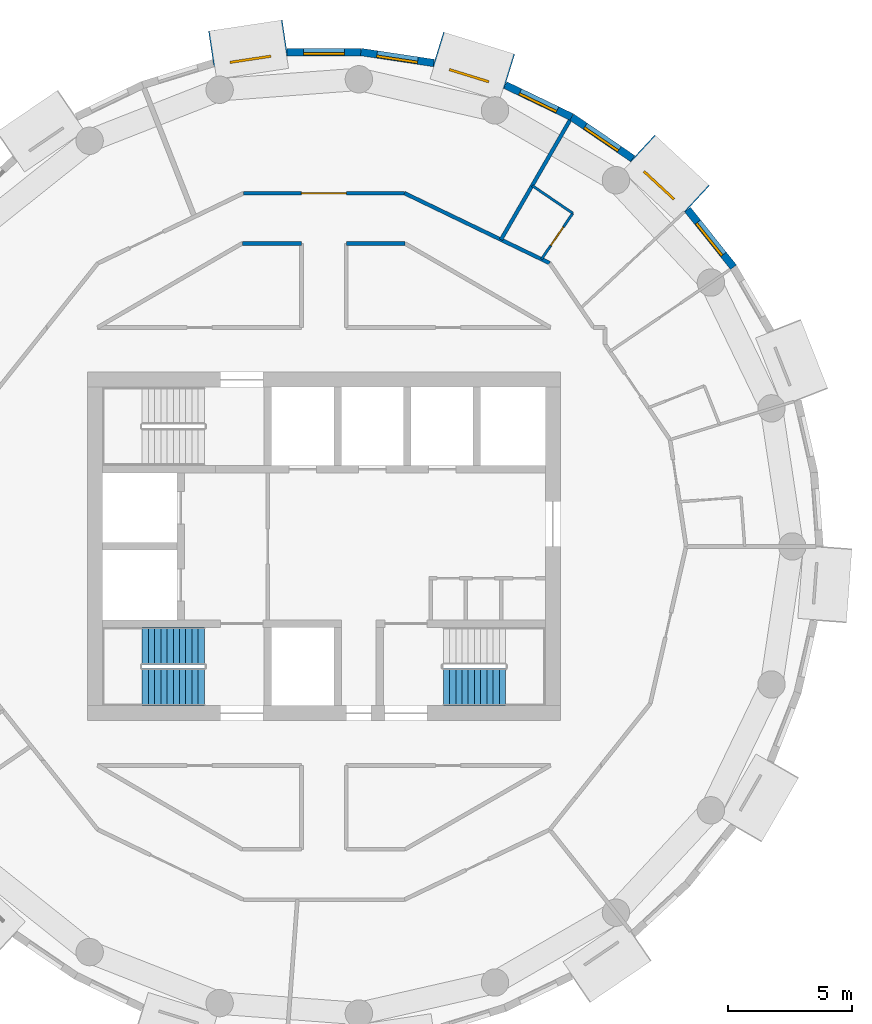
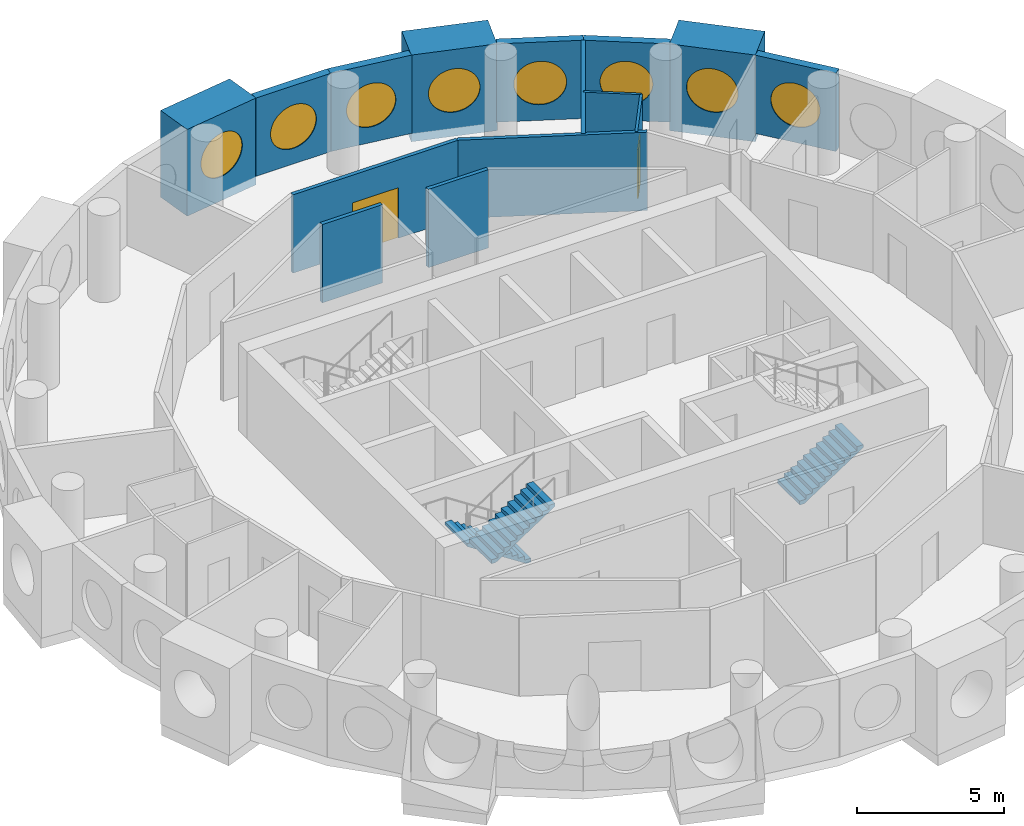
# One storey, part 10 of 12: 15 walls, 8 windows, 3 stair flights, 2 doors, 10 openings, 2 elements without a shape of their own.
"""IFC4 building model written with IfcOpenShell, lengths in metres."""

from ifc_helpers import new_model, si_unit, direction, frame, frame_2d, origin, origin_2d, place, context, subcontext, project, spatial, polyline, rectangle, circle, outline, extrude, material, layer, layer_set, type_object, element, fill, aggregate, save


model = new_model("IFC4")

# Units and contexts
model_context = context("Model", 3, precision=1e-05, world=origin(), true_north=direction((0.0, 1.0)))
body_context = subcontext(model_context, "Body", "Model", "MODEL_VIEW")
ifc_project = project(units=[si_unit("LENGTHUNIT", "METRE"), si_unit("AREAUNIT", "SQUARE_METRE"), si_unit("VOLUMEUNIT", "CUBIC_METRE"), si_unit("PLANEANGLEUNIT", "RADIAN"), si_unit("MASSUNIT", "GRAM", prefix="KILO")], contexts=[model_context])

# Site, building, storey
site_placement = place(None, origin())
site = spatial("IfcSite", under=ifc_project, at=site_placement, CompositionType="ELEMENT")
building_placement = place(site_placement, origin())
building = spatial("IfcBuilding", under=site, at=building_placement, Name="Tracery Tower", CompositionType="ELEMENT")
storey_placement = place(building_placement, frame((0.0, 0.0, 234.60009765625)))
storey = spatial("IfcBuildingStorey", under=building, at=storey_placement, Name="L60", CompositionType="ELEMENT", Elevation=234.60009765625)

# Wall, opening, window
ifc_material_1 = material(Name="Precast concrete C50/60", Category="concrete")
ifc_layer_1 = layer(ifc_material_1, 1.449951171875)
ifc_layer_set_1 = layer_set([ifc_layer_1], Name="Deep-set bay unit 3000 x 3600, slab edge 350")
wall_type_1 = type_object("IfcWallType", Name="Deep-set bay unit 3000 x 3600, slab edge 350", PredefinedType="ELEMENTEDWALL", material=ifc_layer_set_1)
wall_1_placement = place(storey_placement, frame((15.0029296875, 13.964111328125, -0.35009765625), z_axis=(0.0, 0.0, 1.0), x_axis=(-0.733022439167, 0.680204457261, 0.0)))
wall_1 = element("IfcWall", 1, at=wall_1_placement, inside=storey, type_object=wall_type_1, Name="Deep-set bay unit 6 at L60", PredefinedType="ELEMENTEDWALL", context=body_context, shape_type="SweptSolid", body=[
    extrude(rectangle(XDim=2.999755859375, YDim=1.449951171875, at=frame_2d((1.5, 0.0))), origin(), (0.0, 0.0, 1.0), 3.60009765625),
])
opening_1_placement = place(wall_1_placement, frame((1.5, 0.0, 1.89990234375)))
opening_1 = element("IfcOpeningElement", 2, at=opening_1_placement, cuts=wall_1, Name="Opening WN1", PredefinedType="OPENING", context=body_context, shape_type="SweptSolid", body=[
    extrude(circle(Radius=0.9000244140625, at=origin_2d()), frame((0.0, 0.73486328125, 0.0), z_axis=(0.0, -1.0, 0.0), x_axis=(1.0, 0.0, 0.0)), (0.0, 0.0, 1.0), 1.469970703125),
])
ifc_material_2 = material(Name="Aluminium frame with tinted double glazing", Category="aluminium")
window_type = type_object("IfcWindowType", Name="Round window 1800", PartitioningType="SINGLE_PANEL", PredefinedType="WINDOW", material=ifc_material_2)
window_1_placement = place(opening_1_placement, origin())
window_1 = element("IfcWindow", 3, at=window_1_placement, inside=storey, type_object=window_type, Name="Round window 6 at L60", OverallHeight=1.800048828125, OverallWidth=1.800048828125, PartitioningType="SINGLE_PANEL", PredefinedType="WINDOW", context=body_context, shape_type="SweptSolid", body=[
    extrude(circle(Radius=0.9000244140625, at=origin_2d()), frame((0.0, 0.69482421875, 0.0), z_axis=(0.0, -1.0, 0.0), x_axis=(1.0, 0.0, 0.0)), (0.0, 0.0, 1.0), 0.10009765625),
])
fill(opening_1, window_1)

wall_2_placement = place(storey_placement, frame((7.45849609375, 19.0908203125, -0.35009765625), z_axis=(0.0, 0.0, 1.0), x_axis=(-0.955571139978, 0.294760574774, 0.0)))
wall_2 = element("IfcWall", 4, at=wall_2_placement, inside=storey, type_object=wall_type_1, Name="Deep-set bay unit 9 at L60", PredefinedType="ELEMENTEDWALL", context=body_context, shape_type="SweptSolid", body=[
    extrude(rectangle(XDim=3.0, YDim=1.449951171875, at=frame_2d((1.5, 0.0))), origin(), (0.0, 0.0, 1.0), 3.60009765625),
])
opening_2_placement = place(wall_2_placement, frame((1.5, 0.0, 1.89990234375)))
opening_2 = element("IfcOpeningElement", 5, at=opening_2_placement, cuts=wall_2, Name="Opening WN1", PredefinedType="OPENING", context=body_context, shape_type="SweptSolid", body=[
    extrude(circle(Radius=0.9000244140625, at=origin_2d()), frame((0.0, 0.73486328125, 0.0), z_axis=(0.0, -1.0, 0.0), x_axis=(1.0, 0.0, 0.0)), (0.0, 0.0, 1.0), 1.469970703125),
])
window_2_placement = place(opening_2_placement, origin())
window_2 = element("IfcWindow", 6, at=window_2_placement, inside=storey, type_object=window_type, Name="Round window 9 at L60", OverallHeight=1.800048828125, OverallWidth=1.800048828125, PartitioningType="SINGLE_PANEL", PredefinedType="WINDOW", context=body_context, shape_type="SweptSolid", body=[
    extrude(circle(Radius=0.9000244140625, at=origin_2d()), frame((0.0, 0.69482421875, 0.0), z_axis=(0.0, -1.0, 0.0), x_axis=(1.0, 0.0, 0.0)), (0.0, 0.0, 1.0), 0.10009765625),
])
fill(opening_2, window_2)

wall_3_placement = place(storey_placement, frame((-1.563232421875, 20.436279296875, -0.35009765625), z_axis=(0.0, 0.0, 1.0), x_axis=(-0.988836445254, -0.149004981587, 0.0)))
wall_3 = element("IfcWall", 7, at=wall_3_placement, inside=storey, type_object=wall_type_1, Name="Deep-set bay unit 12 at L60", PredefinedType="ELEMENTEDWALL", context=body_context, shape_type="SweptSolid", body=[
    extrude(rectangle(XDim=3.0, YDim=1.449951171875, at=frame_2d((1.5, 0.0))), origin(), (0.0, 0.0, 1.0), 3.60009765625),
])
opening_3_placement = place(wall_3_placement, frame((1.5, 0.0, 1.89990234375)))
opening_3 = element("IfcOpeningElement", 8, at=opening_3_placement, cuts=wall_3, Name="Opening WN1", PredefinedType="OPENING", context=body_context, shape_type="SweptSolid", body=[
    extrude(circle(Radius=0.9000244140625, at=origin_2d()), frame((0.0, 0.73486328125, 0.0), z_axis=(0.0, -1.0, 0.0), x_axis=(1.0, 0.0, 0.0)), (0.0, 0.0, 1.0), 1.469970703125),
])
window_3_placement = place(opening_3_placement, origin())
window_3 = element("IfcWindow", 9, at=window_3_placement, inside=storey, type_object=window_type, Name="Round window 12 at L60", OverallHeight=1.800048828125, OverallWidth=1.800048828125, PartitioningType="SINGLE_PANEL", PredefinedType="WINDOW", context=body_context, shape_type="SweptSolid", body=[
    extrude(circle(Radius=0.9000244140625, at=origin_2d()), frame((0.0, 0.69482421875, 0.0), z_axis=(0.0, -1.0, 0.0), x_axis=(1.0, 0.0, 0.0)), (0.0, 0.0, 1.0), 0.10009765625),
])
fill(opening_3, window_3)

ifc_material_3 = material(Name="Precast concrete C50/60", Category="concrete")
ifc_layer_2 = layer(ifc_material_3, 0.300048828125)
ifc_layer_set_2 = layer_set([ifc_layer_2], Name="Facade panel 3000 x 3250")
wall_type_2 = type_object("IfcWallType", Name="Facade panel 3000 x 3250", PredefinedType="SOLIDWALL", material=ifc_layer_set_2)
wall_4_placement = place(storey_placement, frame((16.460205078125, 11.222412109375, 0.0), z_axis=(0.0, 0.0, 1.0), x_axis=(-0.623498236992, 0.781824755599, 0.0)))
wall_4 = element("IfcWall", 10, at=wall_4_placement, inside=storey, type_object=wall_type_2, Name="Facade panel 5 at L60", PredefinedType="SOLIDWALL", context=body_context, shape_type="SweptSolid", body=[
    extrude(rectangle(XDim=2.962158203125, YDim=0.300048828125, at=frame_2d((1.48095703125, 0.0))), origin(), (0.0, 0.0, 1.0), 3.25),
])
opening_4_placement = place(wall_4_placement, frame((1.48095703125, 0.0, 1.5498046875)))
opening_4 = element("IfcOpeningElement", 11, at=opening_4_placement, cuts=wall_4, Name="Opening WN1", PredefinedType="OPENING", context=body_context, shape_type="SweptSolid", body=[
    extrude(circle(Radius=0.9000244140625, at=origin_2d()), frame((0.0, 0.159912109375, 0.0), z_axis=(0.0, -1.0, 0.0), x_axis=(1.0, 0.0, 0.0)), (0.0, 0.0, 1.0), 0.320068359375),
])
window_4_placement = place(opening_4_placement, origin())
window_4 = element("IfcWindow", 12, at=window_4_placement, inside=storey, type_object=window_type, Name="Round window 5 at L60", OverallHeight=1.800048828125, OverallWidth=1.800048828125, PartitioningType="SINGLE_PANEL", PredefinedType="WINDOW", context=body_context, shape_type="SweptSolid", body=[
    extrude(circle(Radius=0.9000244140625, at=origin_2d()), frame((0.0, 0.1201171875, 0.0), z_axis=(0.0, -1.0, 0.0), x_axis=(1.0, 0.0, 0.0)), (0.0, 0.0, 1.0), 0.10009765625),
])
fill(opening_4, window_4)

wall_5_placement = place(storey_placement, frame((12.408447265625, 15.583984375, 0.0), z_axis=(0.0, 0.0, 1.0), x_axis=(-0.826236061068, 0.563324037646, 0.0)))
wall_5 = element("IfcWall", 13, at=wall_5_placement, inside=storey, type_object=wall_type_2, Name="Facade panel 7 at L60", PredefinedType="SOLIDWALL", context=body_context, shape_type="SweptSolid", body=[
    extrude(rectangle(XDim=2.962158203125, YDim=0.300048828125, at=frame_2d((1.48095703125, 0.0))), origin(), (0.0, 0.0, 1.0), 3.25),
])
opening_5_placement = place(wall_5_placement, frame((1.48095703125, 0.0, 1.5498046875)))
opening_5 = element("IfcOpeningElement", 14, at=opening_5_placement, cuts=wall_5, Name="Opening WN1", PredefinedType="OPENING", context=body_context, shape_type="SweptSolid", body=[
    extrude(circle(Radius=0.9000244140625, at=origin_2d()), frame((0.0, 0.159912109375, 0.0), z_axis=(0.0, -1.0, 0.0), x_axis=(1.0, 0.0, 0.0)), (0.0, 0.0, 1.0), 0.320068359375),
])
window_5_placement = place(opening_5_placement, origin())
window_5 = element("IfcWindow", 15, at=window_5_placement, inside=storey, type_object=window_type, Name="Round window 7 at L60", OverallHeight=1.800048828125, OverallWidth=1.800048828125, PartitioningType="SINGLE_PANEL", PredefinedType="WINDOW", context=body_context, shape_type="SweptSolid", body=[
    extrude(circle(Radius=0.9000244140625, at=origin_2d()), frame((0.0, 0.1201171875, 0.0), z_axis=(0.0, -1.0, 0.0), x_axis=(1.0, 0.0, 0.0)), (0.0, 0.0, 1.0), 0.10009765625),
])
fill(opening_5, window_5)

wall_6_placement = place(storey_placement, frame((9.9609375, 17.252685546875, 0.0), z_axis=(0.0, 0.0, 1.0), x_axis=(-0.90095513435, 0.433912255978, 0.0)))
wall_6 = element("IfcWall", 16, at=wall_6_placement, inside=storey, type_object=wall_type_2, Name="Facade panel 8 at L60", PredefinedType="SOLIDWALL", context=body_context, shape_type="SweptSolid", body=[
    extrude(rectangle(XDim=2.96240234375, YDim=0.300048828125, at=frame_2d((1.481201171875, 0.0))), origin(), (0.0, 0.0, 1.0), 3.25),
])
opening_6_placement = place(wall_6_placement, frame((1.48095703125, 0.0, 1.5498046875)))
opening_6 = element("IfcOpeningElement", 17, at=opening_6_placement, cuts=wall_6, Name="Opening WN1", PredefinedType="OPENING", context=body_context, shape_type="SweptSolid", body=[
    extrude(circle(Radius=0.9000244140625, at=origin_2d()), frame((0.0, 0.159912109375, 0.0), z_axis=(0.0, -1.0, 0.0), x_axis=(1.0, 0.0, 0.0)), (0.0, 0.0, 1.0), 0.320068359375),
])
window_6_placement = place(opening_6_placement, origin())
window_6 = element("IfcWindow", 18, at=window_6_placement, inside=storey, type_object=window_type, Name="Round window 8 at L60", OverallHeight=1.800048828125, OverallWidth=1.800048828125, PartitioningType="SINGLE_PANEL", PredefinedType="WINDOW", context=body_context, shape_type="SweptSolid", body=[
    extrude(circle(Radius=0.9000244140625, at=origin_2d()), frame((0.0, 0.1201171875, 0.0), z_axis=(0.0, -1.0, 0.0), x_axis=(1.0, 0.0, 0.0)), (0.0, 0.0, 1.0), 0.10009765625),
])
fill(opening_6, window_6)

wall_7_placement = place(storey_placement, frame((4.41796875, 19.424560546875, 0.0), z_axis=(0.0, 0.0, 1.0), x_axis=(-0.988835775663, 0.149009425104, 0.0)))
wall_7 = element("IfcWall", 19, at=wall_7_placement, inside=storey, type_object=wall_type_2, Name="Facade panel 10 at L60", PredefinedType="SOLIDWALL", context=body_context, shape_type="SweptSolid", body=[
    extrude(rectangle(XDim=2.962158203125, YDim=0.300048828125, at=frame_2d((1.48095703125, 0.0))), origin(), (0.0, 0.0, 1.0), 3.25),
])
opening_7_placement = place(wall_7_placement, frame((1.48095703125, 0.0, 1.5498046875)))
opening_7 = element("IfcOpeningElement", 20, at=opening_7_placement, cuts=wall_7, Name="Opening WN1", PredefinedType="OPENING", context=body_context, shape_type="SweptSolid", body=[
    extrude(circle(Radius=0.9000244140625, at=origin_2d()), frame((0.0, 0.159912109375, 0.0), z_axis=(0.0, -1.0, 0.0), x_axis=(1.0, 0.0, 0.0)), (0.0, 0.0, 1.0), 0.320068359375),
])
window_7_placement = place(opening_7_placement, origin())
window_7 = element("IfcWindow", 21, at=window_7_placement, inside=storey, type_object=window_type, Name="Round window 10 at L60", OverallHeight=1.800048828125, OverallWidth=1.800048828125, PartitioningType="SINGLE_PANEL", PredefinedType="WINDOW", context=body_context, shape_type="SweptSolid", body=[
    extrude(circle(Radius=0.9000244140625, at=origin_2d()), frame((0.0, 0.1201171875, 0.0), z_axis=(0.0, -1.0, 0.0), x_axis=(1.0, 0.0, 0.0)), (0.0, 0.0, 1.0), 0.10009765625),
])
fill(opening_7, window_7)

wall_8_placement = place(storey_placement, frame((1.48876953125, 19.865966796875, 0.0), z_axis=(0.0, 0.0, 1.0), x_axis=(-1.0, 0.0, 0.0)))
wall_8 = element("IfcWall", 22, at=wall_8_placement, inside=storey, type_object=wall_type_2, Name="Facade panel 11 at L60", PredefinedType="SOLIDWALL", context=body_context, shape_type="SweptSolid", body=[
    extrude(rectangle(XDim=2.962158203125, YDim=0.300048828125, at=frame_2d((1.48095703125, 0.0))), origin(), (0.0, 0.0, 1.0), 3.25),
])
opening_8_placement = place(wall_8_placement, frame((1.48095703125, 0.0, 1.5498046875)))
opening_8 = element("IfcOpeningElement", 23, at=opening_8_placement, cuts=wall_8, Name="Opening WN1", PredefinedType="OPENING", context=body_context, shape_type="SweptSolid", body=[
    extrude(circle(Radius=0.9000244140625, at=origin_2d()), frame((0.0, 0.159912109375, 0.0), z_axis=(0.0, -1.0, 0.0), x_axis=(1.0, 0.0, 0.0)), (0.0, 0.0, 1.0), 0.320068359375),
])
window_8_placement = place(opening_8_placement, origin())
window_8 = element("IfcWindow", 24, at=window_8_placement, inside=storey, type_object=window_type, Name="Round window 11 at L60", OverallHeight=1.800048828125, OverallWidth=1.800048828125, PartitioningType="SINGLE_PANEL", PredefinedType="WINDOW", context=body_context, shape_type="SweptSolid", body=[
    extrude(circle(Radius=0.9000244140625, at=origin_2d()), frame((0.0, 0.1201171875, 0.0), z_axis=(0.0, -1.0, 0.0), x_axis=(1.0, 0.0, 0.0)), (0.0, 0.0, 1.0), 0.10009765625),
])
fill(opening_8, window_8)

# Wall, opening, door
ifc_material_4 = material(Name="Plasterboard on steel studs", Category="steel")
ifc_layer_3 = layer(ifc_material_4, 0.10009765625)
ifc_layer_set_3 = layer_set([ifc_layer_3], Name="Partition 100 wet wall")
wall_type_3 = type_object("IfcWallType", Name="Partition 100 wet wall", PredefinedType="PARTITIONING", material=ifc_layer_set_3)
wall_9_placement = place(storey_placement, frame((8.742919921875, 11.541015625, 0.0), z_axis=(0.0, 0.0, 1.0), x_axis=(0.563469042551, 0.826137178734, 0.0)))
wall_9 = element("IfcWall", 25, at=wall_9_placement, inside=storey, type_object=wall_type_3, Name="Wet wall RC1-055", PredefinedType="PARTITIONING", context=body_context, shape_type="SweptSolid", body=[
    extrude(rectangle(XDim=2.234375, YDim=0.10009765625, at=frame_2d((1.1171875, 0.0))), origin(), (0.0, 0.0, 1.0), 3.25),
])
opening_9_placement = place(wall_9_placement, frame((0.6669921875, 0.0, 0.0)))
opening_9 = element("IfcOpeningElement", 26, at=opening_9_placement, cuts=wall_9, Name="Opening RC1-11", PredefinedType="OPENING", context=body_context, shape_type="SweptSolid", body=[
    extrude(rectangle(XDim=0.89990234375, YDim=2.0400390625, at=frame_2d((0.449951171875, 1.02001953125))), frame((0.0, 0.050048828125, 0.0), z_axis=(0.0, -1.0, 0.0), x_axis=(1.0, 0.0, 0.0)), (0.0, 0.0, 1.0), 0.10009765625),
])
ifc_material_5 = material(Name="Timber door leaf", Category="wood")
door_type_1 = type_object("IfcDoorType", Name="Door en-suite 900", OperationType="NOTDEFINED", PredefinedType="DOOR", material=ifc_material_5)
door_1_placement = place(opening_9_placement, origin())
door_1 = element("IfcDoor", 27, at=door_1_placement, inside=storey, type_object=door_type_1, Name="En-suite door RC1-11", OperationType="SINGLE_SWING_LEFT", OverallHeight=2.0400390625, OverallWidth=0.89990234375, PredefinedType="DOOR", context=body_context, shape_type="SweptSolid", body=[
    extrude(rectangle(XDim=0.89990234375, YDim=2.0400390625, at=frame_2d((0.449951171875, 1.02001953125))), frame((0.0, 0.02490234375, 0.0), z_axis=(0.0, -1.0, 0.0), x_axis=(1.0, 0.0, 0.0)), (0.0, 0.0, 1.0), 0.050048828125),
])
fill(opening_9, door_1)

# Walls
wall_10_placement = place(storey_placement, frame((8.37109375, 14.4990234375, 0.0), z_axis=(0.0, 0.0, 1.0), x_axis=(0.82620117489, -0.563375202339, 0.0)))
element("IfcWall", 28, at=wall_10_placement, inside=storey, type_object=wall_type_3, Name="Wet wall RC1-056", PredefinedType="PARTITIONING", context=body_context, shape_type="SweptSolid", body=[
    extrude(rectangle(XDim=1.973876953125, YDim=0.10009765625, at=frame_2d((0.98681640625, 0.0))), origin(), (0.0, 0.0, 1.0), 3.25),
])
ifc_material_6 = material(Name="Plasterboard on steel studs", Category="steel")
ifc_layer_4 = layer(ifc_material_6, 0.14990234375)
ifc_layer_set_4 = layer_set([ifc_layer_4], Name="Partition 150 acoustic unit wall")
wall_type_4 = type_object("IfcWallType", Name="Partition 150 acoustic unit wall", PredefinedType="PARTITIONING", material=ifc_layer_set_4)
wall_11_placement = place(storey_placement, frame((7.115478515625, 12.3251953125, 0.0), z_axis=(0.0, 0.0, 1.0), x_axis=(0.500139547481, 0.865944821017, 0.0)))
element("IfcWall", 29, at=wall_11_placement, inside=storey, type_object=wall_type_4, Name="Unit wall RC1-057", PredefinedType="PARTITIONING", context=body_context, shape_type="SweptSolid", body=[
    extrude(rectangle(XDim=5.53955078125, YDim=0.14990234375, at=frame_2d((2.769775390625, 0.0))), origin(), (0.0, 0.0, 1.0), 3.25),
])
ifc_material_7 = material(Name="Plasterboard on steel studs", Category="steel")
ifc_layer_5 = layer(ifc_material_7, 0.14990234375)
ifc_layer_set_5 = layer_set([ifc_layer_5], Name="Partition 150 corridor wall")
wall_type_5 = type_object("IfcWallType", Name="Partition 150 corridor wall", PredefinedType="PARTITIONING", material=ifc_layer_set_5)
for number, where, z_axis, x_axis, name in (
    (30, (-3.260986328125, 12.1708984375, 0.0), (0.0, 0.0, 1.0), (1.0, 0.0, 0.0), "Corridor wall RC1-026"),
    (31, (0.89990234375, 12.1708984375, 0.0), (0.0, 0.0, 1.0), (1.0, 0.0, 0.0), "Corridor wall RC1-028"),
):
    element("IfcWall", number, at=place(storey_placement, frame(where, z_axis=z_axis, x_axis=x_axis)), inside=storey, type_object=wall_type_5, Name=name, PredefinedType="PARTITIONING", context=body_context, shape_type="SweptSolid", body=[
        extrude(rectangle(XDim=2.361083984375, YDim=0.14990234375, at=frame_2d((1.1806640625, 0.0))), origin(), (0.0, 0.0, 1.0), 3.25),
    ])
wall_12_placement = place(storey_placement, frame((3.240234375, 14.194580078125, 0.0), z_axis=(0.0, 0.0, 1.0), x_axis=(0.900778421649, -0.434278983018, 0.0)))
element("IfcWall", 32, at=wall_12_placement, inside=storey, type_object=wall_type_5, Name="Corridor wall RC1-030", PredefinedType="PARTITIONING", context=body_context, shape_type="SweptSolid", body=[
    extrude(rectangle(XDim=6.478515625, YDim=0.14990234375, at=frame_2d((3.2392578125, 0.0))), origin(), (0.0, 0.0, 1.0), 3.25),
])

# Wall, opening, door
wall_13_placement = place(storey_placement, frame((-3.239013671875, 14.19189453125, 0.0), z_axis=(0.0, 0.0, 1.0), x_axis=(1.0, 0.0, 0.0)))
wall_13 = element("IfcWall", 33, at=wall_13_placement, inside=storey, type_object=wall_type_5, Name="Corridor wall RC1-032", PredefinedType="PARTITIONING", context=body_context, shape_type="SweptSolid", body=[
    extrude(rectangle(XDim=6.47802734375, YDim=0.14990234375, at=frame_2d((3.239013671875, 0.0))), origin(), (0.0, 0.0, 1.0), 3.25),
])
opening_10_placement = place(wall_13_placement, frame((2.339111328125, 0.0, 0.0)))
opening_10 = element("IfcOpeningElement", 34, at=opening_10_placement, cuts=wall_13, Name="Opening RC1-12", PredefinedType="OPENING", context=body_context, shape_type="SweptSolid", body=[
    extrude(rectangle(XDim=1.800048828125, YDim=2.10009765625, at=frame_2d((0.89990234375, 1.050048828125))), frame((0.0, 0.074951171875, 0.0), z_axis=(0.0, -1.0, 0.0), x_axis=(1.0, 0.0, 0.0)), (0.0, 0.0, 1.0), 0.14990234375),
])
ifc_material_8 = material(Name="Timber door leaf", Category="wood")
door_type_2 = type_object("IfcDoorType", Name="Door double lounge 1800", OperationType="NOTDEFINED", PredefinedType="DOOR", material=ifc_material_8)
door_2_placement = place(opening_10_placement, origin())
door_2 = element("IfcDoor", 35, at=door_2_placement, inside=storey, type_object=door_type_2, Name="Double lounge door RC1-12", OperationType="DOUBLE_DOOR_SINGLE_SWING", OverallHeight=2.10009765625, OverallWidth=1.800048828125, PredefinedType="DOOR", context=body_context, shape_type="SweptSolid", body=[
    extrude(rectangle(XDim=1.800048828125, YDim=2.10009765625, at=frame_2d((0.89990234375, 1.050048828125))), frame((0.0, 0.02490234375, 0.0), z_axis=(0.0, -1.0, 0.0), x_axis=(1.0, 0.0, 0.0)), (0.0, 0.0, 1.0), 0.050048828125),
])
fill(opening_10, door_2)

# Stair, stair flights
ifc_material_9 = material(Name="Concrete C32/40", Category="concrete")
stair_type = type_object("IfcStairType", Name="Core stair 22 risers", PredefinedType="HALF_TURN_STAIR", material=ifc_material_9)
stair_1_placement = place(storey_placement, origin())
stair_1 = element("IfcStair", 36, at=stair_1_placement, inside=storey, type_object=stair_type, Name="L60 stair ST1", PredefinedType="HALF_TURN_STAIR")
ifc_material_10 = material(Name="Concrete C32/40", Category="concrete")
stair_flight_type = type_object("IfcStairFlightType", Name="Core stair flight 11 risers", PredefinedType="STRAIGHT", material=ifc_material_10)
stair_flight_1_placement = place(storey_placement, frame((-4.800048828125, -4.0, 0.0), z_axis=(0.0, 0.0, 1.0), x_axis=(-1.0, 0.0, 0.0)))
stair_flight_1 = element("IfcStairFlight", 37, at=stair_flight_1_placement, type_object=stair_flight_type, Name="ST1 flight 1", NumberOfRisers=11, NumberOfTreads=10, PredefinedType="STRAIGHT", RiserHeight=0.163636364, TreadLength=0.25, context=body_context, shape_type="SweptSolid", body=[
    extrude(outline(polyline([(0.0, 0.0), (0.0, 0.002685546875), (0.0, 0.00537109375), (0.0, 0.008056640625), (0.0, 0.0107421875), (0.0, 0.013427734375), (0.0, 0.01611328125), (0.0, 0.018798828125), (0.0, 0.021484375), (0.0, 0.024169921875), (0.0, 0.02685546875), (0.0, 0.029541015625), (0.0, 0.0322265625), (0.0, 0.034912109375), (0.0, 0.03759765625), (0.0, 0.040283203125), (0.0, 0.04296875), (0.0, 0.045654296875), (0.0, 0.04833984375), (0.0, 0.051025390625), (0.0, 0.0537109375), (0.0, 0.056396484375), (0.0, 0.05908203125), (0.0, 0.061767578125), (0.0, 0.064453125), (0.0, 0.067138671875), (0.0, 0.06982421875), (0.0, 0.072509765625), (0.0, 0.0751953125), (0.0, 0.077880859375), (0.0, 0.08056640625), (0.0, 0.083251953125), (0.0, 0.0859375), (0.0, 0.088623046875), (0.0, 0.09130859375), (0.0, 0.093994140625), (0.0, 0.0966796875), (0.0, 0.099365234375), (0.0, 0.10205078125), (0.0, 0.104736328125), (0.0, 0.107421875), (0.0, 0.10986328125), (0.0, 0.112548828125), (0.0, 0.115234375), (0.0, 0.117919921875), (0.0, 0.12060546875), (0.0, 0.123291015625), (0.0, 0.1259765625), (0.0, 0.128662109375), (0.0, 0.13134765625), (0.0, 0.134033203125), (0.0, 0.13671875), (0.0, 0.139404296875), (0.0, 0.14208984375), (0.0, 0.144775390625), (0.0, 0.1474609375), (0.0, 0.150146484375), (0.0, 0.15283203125), (0.0, 0.155517578125), (0.0, 0.158203125), (0.0, 0.160888671875), (0.0, 0.16357421875), (0.25, 0.16357421875), (0.25, 0.327392578125), (0.5, 0.327392578125), (0.5, 0.490966796875), (0.75, 0.490966796875), (0.75, 0.654541015625), (1.0, 0.654541015625), (1.0, 0.818115234375), (1.25, 0.818115234375), (1.25, 0.98193359375), (1.5, 0.98193359375), (1.5, 1.1455078125), (1.75, 1.1455078125), (1.75, 1.30908203125), (2.0, 1.30908203125), (2.0, 1.47265625), (2.25, 1.47265625), (2.25, 1.636474609375), (2.5, 1.636474609375), (2.5, 1.634521484375), (2.5, 1.63232421875), (2.5, 1.63037109375), (2.5, 1.62841796875), (2.5, 1.62646484375), (2.5, 1.62451171875), (2.5, 1.62255859375), (2.5, 1.62060546875), (2.5, 1.61865234375), (2.5, 1.61669921875), (2.5, 1.61474609375), (2.5, 1.61279296875), (2.5, 1.61083984375), (2.5, 1.60888671875), (2.5, 1.60693359375), (2.5, 1.60498046875), (2.5, 1.60302734375), (2.5, 1.60107421875), (2.5, 1.59912109375), (2.5, 1.59716796875), (2.5, 1.59521484375), (2.5, 1.59326171875), (2.5, 1.59130859375), (2.5, 1.58935546875), (2.5, 1.58740234375), (2.5, 1.58544921875), (2.5, 1.58349609375), (2.5, 1.58154296875), (2.5, 1.57958984375), (2.5, 1.57763671875), (2.5, 1.57568359375), (2.5, 1.573486328125), (2.5, 1.571533203125), (2.5, 1.569580078125), (2.5, 1.567626953125), (2.5, 1.565673828125), (2.5, 1.563720703125), (2.5, 1.561767578125), (2.5, 1.559814453125), (2.5, 1.557861328125), (2.5, 1.555908203125), (2.5, 1.553955078125), (2.5, 1.552001953125), (2.5, 1.550048828125), (2.5, 1.548095703125), (2.5, 1.546142578125), (2.5, 1.544189453125), (2.5, 1.542236328125), (2.5, 1.540283203125), (2.5, 1.538330078125), (2.5, 1.536376953125), (2.5, 1.534423828125), (2.5, 1.532470703125), (2.5, 1.530517578125), (2.5, 1.528564453125), (2.5, 1.526611328125), (2.5, 1.524658203125), (2.5, 1.522705078125), (2.5, 1.520751953125), (2.5, 1.518798828125), (2.5, 1.516845703125), (0.182861328125, 0.0), (0.0, 0.0)])), frame((0.0, 0.75, 0.0), z_axis=(0.0, -1.0, 0.0), x_axis=(1.0, 0.0, 0.0)), (0.0, 0.0, 1.0), 1.5),
])
stair_flight_2_placement = place(storey_placement, frame((-7.300048828125, -5.64990234375, 1.7998046875), z_axis=(0.0, 0.0, 1.0), x_axis=(1.0, 0.0, 0.0)))
stair_flight_2 = element("IfcStairFlight", 38, at=stair_flight_2_placement, type_object=stair_flight_type, Name="ST1 flight 2", NumberOfRisers=11, NumberOfTreads=10, PredefinedType="STRAIGHT", RiserHeight=0.163636364, TreadLength=0.25, context=body_context, shape_type="SweptSolid", body=[
    extrude(outline(polyline([(0.0, 0.0), (0.0, 0.002685546875), (0.0, 0.00537109375), (0.0, 0.008056640625), (0.0, 0.0107421875), (0.0, 0.013427734375), (0.0, 0.01611328125), (0.0, 0.018798828125), (0.0, 0.021484375), (0.0, 0.024169921875), (0.0, 0.02685546875), (0.0, 0.029541015625), (0.0, 0.0322265625), (0.0, 0.034912109375), (0.0, 0.03759765625), (0.0, 0.040283203125), (0.0, 0.04296875), (0.0, 0.045654296875), (0.0, 0.04833984375), (0.0, 0.051025390625), (0.0, 0.0537109375), (0.0, 0.056396484375), (0.0, 0.05908203125), (0.0, 0.061767578125), (0.0, 0.064453125), (0.0, 0.067138671875), (0.0, 0.06982421875), (0.0, 0.072509765625), (0.0, 0.0751953125), (0.0, 0.077880859375), (0.0, 0.08056640625), (0.0, 0.083251953125), (0.0, 0.0859375), (0.0, 0.088623046875), (0.0, 0.09130859375), (0.0, 0.093994140625), (0.0, 0.0966796875), (0.0, 0.099365234375), (0.0, 0.10205078125), (0.0, 0.104736328125), (0.0, 0.107421875), (0.0, 0.10986328125), (0.0, 0.112548828125), (0.0, 0.115234375), (0.0, 0.117919921875), (0.0, 0.12060546875), (0.0, 0.123291015625), (0.0, 0.1259765625), (0.0, 0.128662109375), (0.0, 0.13134765625), (0.0, 0.134033203125), (0.0, 0.13671875), (0.0, 0.139404296875), (0.0, 0.14208984375), (0.0, 0.144775390625), (0.0, 0.1474609375), (0.0, 0.150146484375), (0.0, 0.15283203125), (0.0, 0.155517578125), (0.0, 0.158203125), (0.0, 0.160888671875), (0.0, 0.16357421875), (0.25, 0.16357421875), (0.25, 0.327392578125), (0.5, 0.327392578125), (0.5, 0.490966796875), (0.75, 0.490966796875), (0.75, 0.654541015625), (1.0, 0.654541015625), (1.0, 0.818115234375), (1.25, 0.818115234375), (1.25, 0.98193359375), (1.5, 0.98193359375), (1.5, 1.1455078125), (1.75, 1.1455078125), (1.75, 1.30908203125), (2.0, 1.30908203125), (2.0, 1.47265625), (2.25, 1.47265625), (2.25, 1.636474609375), (2.5, 1.636474609375), (2.5, 1.634521484375), (2.5, 1.63232421875), (2.5, 1.63037109375), (2.5, 1.62841796875), (2.5, 1.62646484375), (2.5, 1.62451171875), (2.5, 1.62255859375), (2.5, 1.62060546875), (2.5, 1.61865234375), (2.5, 1.61669921875), (2.5, 1.61474609375), (2.5, 1.61279296875), (2.5, 1.61083984375), (2.5, 1.60888671875), (2.5, 1.60693359375), (2.5, 1.60498046875), (2.5, 1.60302734375), (2.5, 1.60107421875), (2.5, 1.59912109375), (2.5, 1.59716796875), (2.5, 1.59521484375), (2.5, 1.59326171875), (2.5, 1.59130859375), (2.5, 1.58935546875), (2.5, 1.58740234375), (2.5, 1.58544921875), (2.5, 1.58349609375), (2.5, 1.58154296875), (2.5, 1.57958984375), (2.5, 1.57763671875), (2.5, 1.57568359375), (2.5, 1.573486328125), (2.5, 1.571533203125), (2.5, 1.569580078125), (2.5, 1.567626953125), (2.5, 1.565673828125), (2.5, 1.563720703125), (2.5, 1.561767578125), (2.5, 1.559814453125), (2.5, 1.557861328125), (2.5, 1.555908203125), (2.5, 1.553955078125), (2.5, 1.552001953125), (2.5, 1.550048828125), (2.5, 1.548095703125), (2.5, 1.546142578125), (2.5, 1.544189453125), (2.5, 1.542236328125), (2.5, 1.540283203125), (2.5, 1.538330078125), (2.5, 1.536376953125), (2.5, 1.534423828125), (2.5, 1.532470703125), (2.5, 1.530517578125), (2.5, 1.528564453125), (2.5, 1.526611328125), (2.5, 1.524658203125), (2.5, 1.522705078125), (2.5, 1.520751953125), (2.5, 1.518798828125), (2.5, 1.516845703125), (0.182861328125, 0.0), (0.0, 0.0)])), frame((0.0, 0.75, 0.0), z_axis=(0.0, -1.0, 0.0), x_axis=(1.0, 0.0, 0.0)), (0.0, 0.0, 1.0), 1.5),
])
aggregate(stair_1, [stair_flight_1, stair_flight_2])

# Stair, stair flight
stair_2_placement = place(storey_placement, origin())
stair_2 = element("IfcStair", 39, at=stair_2_placement, inside=storey, type_object=stair_type, Name="L60 stair ST2", PredefinedType="HALF_TURN_STAIR")
stair_flight_3_placement = place(storey_placement, frame((4.800048828125, -5.64990234375, 0.0), z_axis=(0.0, 0.0, 1.0), x_axis=(1.0, 0.0, 0.0)))
stair_flight_3 = element("IfcStairFlight", 40, at=stair_flight_3_placement, type_object=stair_flight_type, Name="ST2 flight 1", NumberOfRisers=11, NumberOfTreads=10, PredefinedType="STRAIGHT", RiserHeight=0.163636364, TreadLength=0.25, context=body_context, shape_type="SweptSolid", body=[
    extrude(outline(polyline([(0.0, 0.0), (0.0, 0.002685546875), (0.0, 0.00537109375), (0.0, 0.008056640625), (0.0, 0.0107421875), (0.0, 0.013427734375), (0.0, 0.01611328125), (0.0, 0.018798828125), (0.0, 0.021484375), (0.0, 0.024169921875), (0.0, 0.02685546875), (0.0, 0.029541015625), (0.0, 0.0322265625), (0.0, 0.034912109375), (0.0, 0.03759765625), (0.0, 0.040283203125), (0.0, 0.04296875), (0.0, 0.045654296875), (0.0, 0.04833984375), (0.0, 0.051025390625), (0.0, 0.0537109375), (0.0, 0.056396484375), (0.0, 0.05908203125), (0.0, 0.061767578125), (0.0, 0.064453125), (0.0, 0.067138671875), (0.0, 0.06982421875), (0.0, 0.072509765625), (0.0, 0.0751953125), (0.0, 0.077880859375), (0.0, 0.08056640625), (0.0, 0.083251953125), (0.0, 0.0859375), (0.0, 0.088623046875), (0.0, 0.09130859375), (0.0, 0.093994140625), (0.0, 0.0966796875), (0.0, 0.099365234375), (0.0, 0.10205078125), (0.0, 0.104736328125), (0.0, 0.107421875), (0.0, 0.10986328125), (0.0, 0.112548828125), (0.0, 0.115234375), (0.0, 0.117919921875), (0.0, 0.12060546875), (0.0, 0.123291015625), (0.0, 0.1259765625), (0.0, 0.128662109375), (0.0, 0.13134765625), (0.0, 0.134033203125), (0.0, 0.13671875), (0.0, 0.139404296875), (0.0, 0.14208984375), (0.0, 0.144775390625), (0.0, 0.1474609375), (0.0, 0.150146484375), (0.0, 0.15283203125), (0.0, 0.155517578125), (0.0, 0.158203125), (0.0, 0.160888671875), (0.0, 0.16357421875), (0.25, 0.16357421875), (0.25, 0.327392578125), (0.5, 0.327392578125), (0.5, 0.490966796875), (0.75, 0.490966796875), (0.75, 0.654541015625), (1.0, 0.654541015625), (1.0, 0.818115234375), (1.25, 0.818115234375), (1.25, 0.98193359375), (1.5, 0.98193359375), (1.5, 1.1455078125), (1.75, 1.1455078125), (1.75, 1.30908203125), (2.0, 1.30908203125), (2.0, 1.47265625), (2.25, 1.47265625), (2.25, 1.636474609375), (2.5, 1.636474609375), (2.5, 1.634521484375), (2.5, 1.63232421875), (2.5, 1.63037109375), (2.5, 1.62841796875), (2.5, 1.62646484375), (2.5, 1.62451171875), (2.5, 1.62255859375), (2.5, 1.62060546875), (2.5, 1.61865234375), (2.5, 1.61669921875), (2.5, 1.61474609375), (2.5, 1.61279296875), (2.5, 1.61083984375), (2.5, 1.60888671875), (2.5, 1.60693359375), (2.5, 1.60498046875), (2.5, 1.60302734375), (2.5, 1.60107421875), (2.5, 1.59912109375), (2.5, 1.59716796875), (2.5, 1.59521484375), (2.5, 1.59326171875), (2.5, 1.59130859375), (2.5, 1.58935546875), (2.5, 1.58740234375), (2.5, 1.58544921875), (2.5, 1.58349609375), (2.5, 1.58154296875), (2.5, 1.57958984375), (2.5, 1.57763671875), (2.5, 1.57568359375), (2.5, 1.573486328125), (2.5, 1.571533203125), (2.5, 1.569580078125), (2.5, 1.567626953125), (2.5, 1.565673828125), (2.5, 1.563720703125), (2.5, 1.561767578125), (2.5, 1.559814453125), (2.5, 1.557861328125), (2.5, 1.555908203125), (2.5, 1.553955078125), (2.5, 1.552001953125), (2.5, 1.550048828125), (2.5, 1.548095703125), (2.5, 1.546142578125), (2.5, 1.544189453125), (2.5, 1.542236328125), (2.5, 1.540283203125), (2.5, 1.538330078125), (2.5, 1.536376953125), (2.5, 1.534423828125), (2.5, 1.532470703125), (2.5, 1.530517578125), (2.5, 1.528564453125), (2.5, 1.526611328125), (2.5, 1.524658203125), (2.5, 1.522705078125), (2.5, 1.520751953125), (2.5, 1.518798828125), (2.5, 1.516845703125), (0.182861328125, 0.0), (0.0, 0.0)])), frame((0.0, 0.75, 0.0), z_axis=(0.0, -1.0, 0.0), x_axis=(1.0, 0.0, 0.0)), (0.0, 0.0, 1.0), 1.5),
])
aggregate(stair_2, [stair_flight_3])

save(model, "model.ifc")
